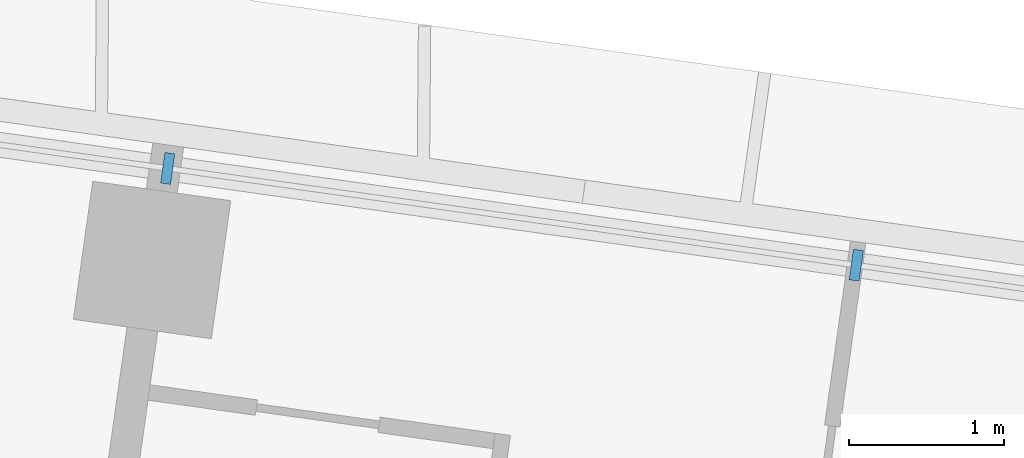
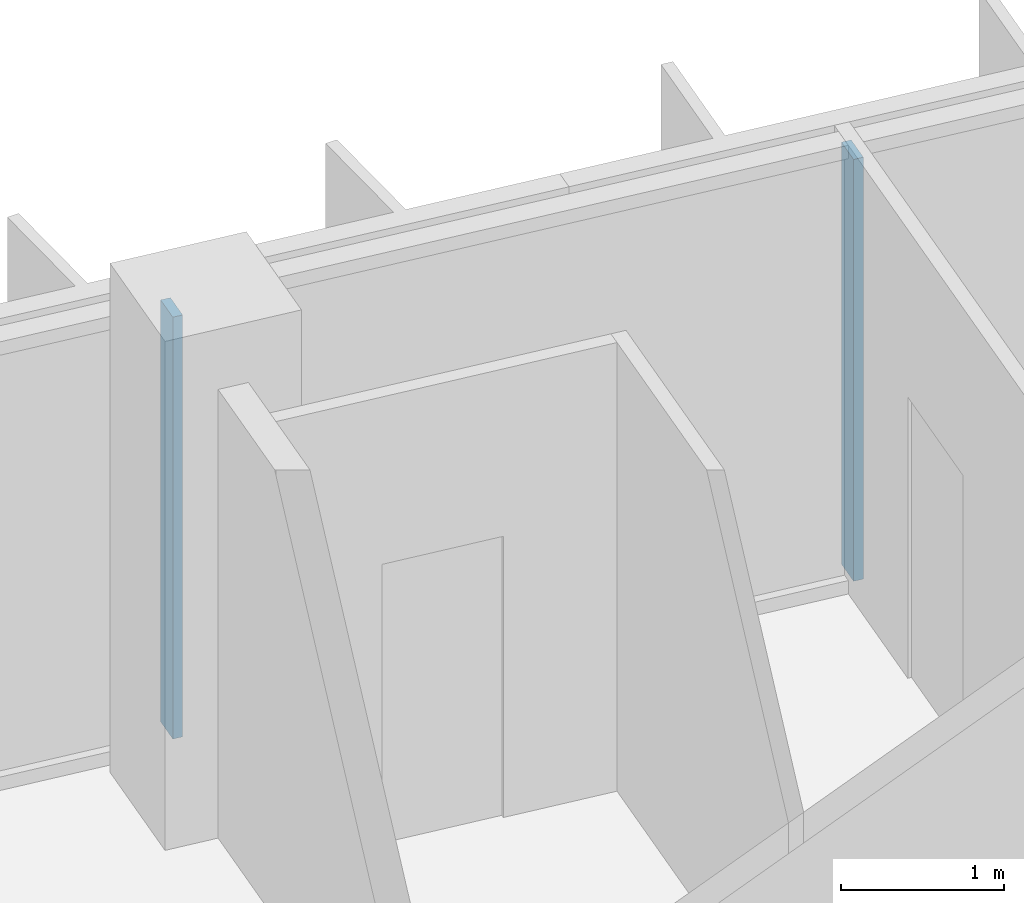
# One storey, part 3 of 24: 2 members, 1 element without a shape of its own.
"""IFC4 building model written with IfcOpenShell, lengths in metres."""

from ifc_helpers import new_model, si_unit, direction, frame, origin, origin_2d, place, context, subcontext, project, spatial, rectangle, extrude, material, material_profile, profile_set, type_object, element, aggregate, save


model = new_model("IFC4")

# Units and contexts
model_context = context("Model", 3, precision=1e-05, world=origin(), true_north=direction((0.0, 1.0)))
body_context = subcontext(model_context, "Body", "Model", "MODEL_VIEW")
ifc_project = project(units=[si_unit("LENGTHUNIT", "METRE"), si_unit("AREAUNIT", "SQUARE_METRE"), si_unit("VOLUMEUNIT", "CUBIC_METRE"), si_unit("PLANEANGLEUNIT", "RADIAN"), si_unit("MASSUNIT", "GRAM", prefix="KILO")], contexts=[model_context])

# Site, building, storey
site_placement = place(None, origin())
site = spatial("IfcSite", under=ifc_project, at=site_placement, CompositionType="ELEMENT")
building_placement = place(site_placement, origin())
building = spatial("IfcBuilding", under=site, at=building_placement, Name="Mirante Cascada Hotel Towers", CompositionType="ELEMENT")
storey_placement = place(building_placement, frame((0.0, 0.0, 110.1)))
storey = spatial("IfcBuildingStorey", under=building, at=storey_placement, Name="L24", CompositionType="ELEMENT", Elevation=110.1)

# Curtain wall, members
ifc_material_1 = material(Name="Aluminium mullion and transom frame with clear laminated glass", Category="aluminium")
curtain_wall_type = type_object("IfcCurtainWallType", Name="Ribbon curtain wall ECW1", PredefinedType="NOTDEFINED", material=ifc_material_1)
curtain_wall_placement = place(storey_placement, origin())
curtain_wall = element("IfcCurtainWall", 1, at=curtain_wall_placement, inside=storey, type_object=curtain_wall_type, Name="Front ribbon wall T1 L24", PredefinedType="NOTDEFINED")
ifc_material_2 = material(Name="Anodised aluminium extrusion", Category="aluminium")
ifc_material_profile = material_profile(ifc_material_2, rectangle(XDim=0.2, YDim=0.065, at=origin_2d()), Name="ECW1 MULLION 65x200")
ifc_profile_set = profile_set([ifc_material_profile], Name="Anodised aluminium extrusion")
member_type = type_object("IfcMemberType", Name="ECW1 mullion 65x200", PredefinedType="MULLION", material=ifc_profile_set)
member_1_placement = place(storey_placement, frame((-71.9211, 22.9269, 0.1), z_axis=(0.0, 0.0, 1.0), x_axis=(0.1391731, 0.9902681, 0.0)))
member_1 = element("IfcMember", 2, at=member_1_placement, type_object=member_type, Name="ECW1 mullion 6", PredefinedType="MULLION", context=body_context, shape_type="SweptSolid", body=[
    extrude(rectangle(XDim=0.2, YDim=0.065, at=origin_2d()), origin(), (0.0, 0.0, 1.0), 3.15),
])
member_2_placement = place(storey_placement, frame((-67.4737, 22.3018, 0.1), z_axis=(0.0, 0.0, 1.0), x_axis=(0.1391731, 0.9902681, 0.0)))
member_2 = element("IfcMember", 3, at=member_2_placement, type_object=member_type, Name="ECW1 mullion 7", PredefinedType="MULLION", context=body_context, shape_type="SweptSolid", body=[
    extrude(rectangle(XDim=0.2, YDim=0.065, at=origin_2d()), origin(), (0.0, 0.0, 1.0), 3.15),
])
aggregate(curtain_wall, [member_1, member_2])

save(model, "model.ifc")
